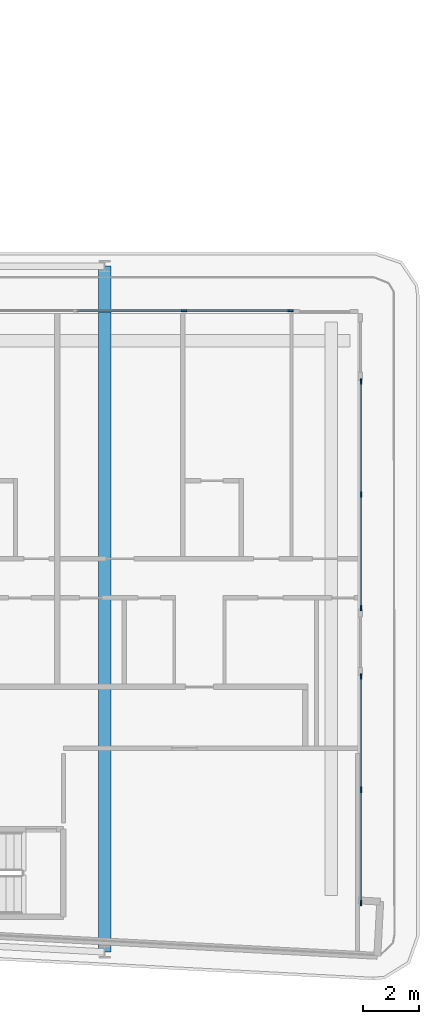
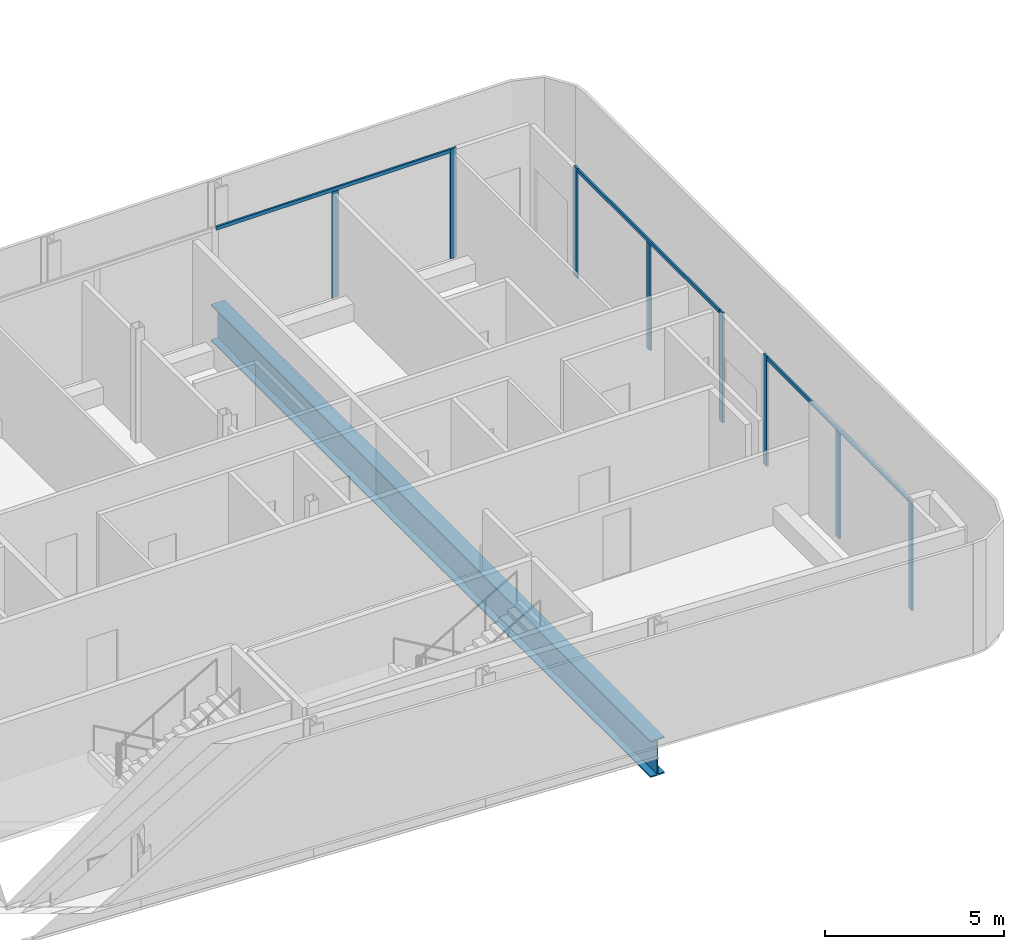
# One storey, part 10 of 30: 11 members, 1 beam, 3 elements without a shape of their own.
"""IFC4 building model written with IfcOpenShell, lengths in metres."""

from ifc_helpers import new_model, si_unit, direction, frame, origin, origin_2d, place, context, subcontext, project, spatial, rectangle, i_section, extrude, material, layer, layer_set, material_profile, profile_set, type_object, element, aggregate, save


model = new_model("IFC4")

# Units and contexts
model_context = context("Model", 3, precision=1e-05, world=origin(), true_north=direction((0.0, 1.0)))
body_context = subcontext(model_context, "Body", "Model", "MODEL_VIEW")
ifc_project = project(units=[si_unit("LENGTHUNIT", "METRE"), si_unit("AREAUNIT", "SQUARE_METRE"), si_unit("VOLUMEUNIT", "CUBIC_METRE"), si_unit("PLANEANGLEUNIT", "RADIAN"), si_unit("MASSUNIT", "GRAM", prefix="KILO")], contexts=[model_context])

# Site, building, storey
site_placement = place(None, origin())
site = spatial("IfcSite", under=ifc_project, at=site_placement, CompositionType="ELEMENT")
building_placement = place(site_placement, origin())
building = spatial("IfcBuilding", under=site, at=building_placement, Name="Kheshtan School and Residences Tower", CompositionType="ELEMENT")
storey_placement = place(building_placement, frame((0.0, 0.0, 195.5)))
storey = spatial("IfcBuildingStorey", under=building, at=storey_placement, Name="L46", CompositionType="ELEMENT", Elevation=195.5)

# Curtain wall, members
ifc_material_1 = material(Name="Clear low-e glass in thermally broken aluminium frame", Category="aluminium")
ifc_layer = layer(ifc_material_1, 0.199951171875)
ifc_layer_set = layer_set([ifc_layer], Name="Curtain wall CW-L")
curtain_wall_type = type_object("IfcCurtainWallType", Name="Curtain wall CW-L", PredefinedType="NOTDEFINED", material=ifc_layer_set)
curtain_wall_1_placement = place(storey_placement, origin())
curtain_wall_1 = element("IfcCurtainWall", 1, at=curtain_wall_1_placement, inside=storey, type_object=curtain_wall_type, Name="Curtain wall CWL12j", PredefinedType="NOTDEFINED")
ifc_material_2 = material(Name="Thermally broken aluminium, dark bronze anodised", Category="aluminium")
ifc_material_profile_1 = material_profile(ifc_material_2, rectangle(XDim=0.06005859375, YDim=0.199951171875, at=origin_2d()), Name="CW-L mullion 60x200")
ifc_profile_set_1 = profile_set([ifc_material_profile_1], Name="Thermally broken aluminium, dark bronze anodised")
member_type_1 = type_object("IfcMemberType", Name="CW-L mullion 60x200", PredefinedType="MULLION", material=ifc_profile_set_1)
member_1_placement = place(storey_placement, frame((93.653076171875, 44.0, 0.0), z_axis=(0.0, 0.0, 1.0), x_axis=(0.0, 1.0, 0.0)))
member_1 = element("IfcMember", 2, at=member_1_placement, type_object=member_type_1, Name="CWL12j mullion 2", PredefinedType="MULLION", context=body_context, shape_type="SweptSolid", body=[
    extrude(rectangle(XDim=0.06005859375, YDim=0.199951171875, at=origin_2d()), origin(), (0.0, 0.0, 1.0), 3.6298828125),
])
member_2_placement = place(storey_placement, frame((97.469970703125, 44.0, 0.0), z_axis=(0.0, 0.0, 1.0), x_axis=(0.0, 1.0, 0.0)))
member_2 = element("IfcMember", 3, at=member_2_placement, type_object=member_type_1, Name="CWL12j mullion 3", PredefinedType="MULLION", context=body_context, shape_type="SweptSolid", body=[
    extrude(rectangle(XDim=0.06005859375, YDim=0.199951171875, at=origin_2d()), origin(), (0.0, 0.0, 1.0), 3.75),
])

curtain_wall_2_placement = place(storey_placement, origin())
curtain_wall_2 = element("IfcCurtainWall", 4, at=curtain_wall_2_placement, inside=storey, type_object=curtain_wall_type, Name="Curtain wall CWL13b", PredefinedType="NOTDEFINED")
member_3_placement = place(storey_placement, frame((100.0, 41.469970703125, 0.0), z_axis=(0.0, 0.0, 1.0), x_axis=(1.0, 0.0, 0.0)))
member_3 = element("IfcMember", 5, at=member_3_placement, type_object=member_type_1, Name="CWL13b mullion 1", PredefinedType="MULLION", context=body_context, shape_type="SweptSolid", body=[
    extrude(rectangle(XDim=0.06005859375, YDim=0.199951171875, at=origin_2d()), origin(), (0.0, 0.0, 1.0), 3.75),
])
member_4_placement = place(storey_placement, frame((100.0, 37.403564453125, 0.0), z_axis=(0.0, 0.0, 1.0), x_axis=(1.0, 0.0, 0.0)))
member_4 = element("IfcMember", 6, at=member_4_placement, type_object=member_type_1, Name="CWL13b mullion 2", PredefinedType="MULLION", context=body_context, shape_type="SweptSolid", body=[
    extrude(rectangle(XDim=0.06005859375, YDim=0.199951171875, at=origin_2d()), origin(), (0.0, 0.0, 1.0), 3.6298828125),
])
member_5_placement = place(storey_placement, frame((100.0, 33.3369140625, 0.0), z_axis=(0.0, 0.0, 1.0), x_axis=(1.0, 0.0, 0.0)))
member_5 = element("IfcMember", 7, at=member_5_placement, type_object=member_type_1, Name="CWL13b mullion 3", PredefinedType="MULLION", context=body_context, shape_type="SweptSolid", body=[
    extrude(rectangle(XDim=0.06005859375, YDim=0.199951171875, at=origin_2d()), origin(), (0.0, 0.0, 1.0), 3.75),
])

curtain_wall_3_placement = place(storey_placement, origin())
curtain_wall_3 = element("IfcCurtainWall", 8, at=curtain_wall_3_placement, inside=storey, type_object=curtain_wall_type, Name="Curtain wall CWL13b", PredefinedType="NOTDEFINED")
member_6_placement = place(storey_placement, frame((100.0, 30.876953125, 0.0), z_axis=(0.0, 0.0, 1.0), x_axis=(1.0, 0.0, 0.0)))
member_6 = element("IfcMember", 9, at=member_6_placement, type_object=member_type_1, Name="CWL13b mullion 1", PredefinedType="MULLION", context=body_context, shape_type="SweptSolid", body=[
    extrude(rectangle(XDim=0.06005859375, YDim=0.199951171875, at=origin_2d()), origin(), (0.0, 0.0, 1.0), 3.75),
])
member_7_placement = place(storey_placement, frame((100.0, 26.810546875, 0.0), z_axis=(0.0, 0.0, 1.0), x_axis=(1.0, 0.0, 0.0)))
member_7 = element("IfcMember", 10, at=member_7_placement, type_object=member_type_1, Name="CWL13b mullion 2", PredefinedType="MULLION", context=body_context, shape_type="SweptSolid", body=[
    extrude(rectangle(XDim=0.06005859375, YDim=0.199951171875, at=origin_2d()), origin(), (0.0, 0.0, 1.0), 3.6298828125),
])
member_8_placement = place(storey_placement, frame((100.0, 22.743896484375, 0.0), z_axis=(0.0, 0.0, 1.0), x_axis=(1.0, 0.0, 0.0)))
member_8 = element("IfcMember", 11, at=member_8_placement, type_object=member_type_1, Name="CWL13b mullion 3", PredefinedType="MULLION", context=body_context, shape_type="SweptSolid", body=[
    extrude(rectangle(XDim=0.06005859375, YDim=0.199951171875, at=origin_2d()), origin(), (0.0, 0.0, 1.0), 3.75),
])

# Member
ifc_material_profile_2 = material_profile(ifc_material_2, rectangle(XDim=0.06005859375, YDim=0.1201171875, at=origin_2d()), Name="CW-L transom 60x120")
ifc_profile_set_2 = profile_set([ifc_material_profile_2], Name="Thermally broken aluminium, dark bronze anodised")
member_type_2 = type_object("IfcMemberType", Name="CW-L transom 60x120", PredefinedType="USERDEFINED", material=ifc_profile_set_2)
member_9_placement = place(storey_placement, frame((89.805908203125, 44.0, 3.68994140625), z_axis=(1.0, 0.0, 0.0), x_axis=(0.0, 1.0, 0.0)))
member_9 = element("IfcMember", 12, at=member_9_placement, type_object=member_type_2, Name="CWL12j transom 1", ObjectType="TRANSOM", PredefinedType="USERDEFINED", context=body_context, shape_type="SweptSolid", body=[
    extrude(rectangle(XDim=0.06005859375, YDim=0.1201171875, at=origin_2d()), origin(), (0.0, 0.0, 1.0), 7.634033203125),
])

aggregate(curtain_wall_1, [member_1, member_2, member_9])

member_10_placement = place(storey_placement, frame((100.0, 41.43994140625, 3.68994140625), z_axis=(0.0, -1.0, 0.0), x_axis=(1.0, 0.0, 0.0)))
member_10 = element("IfcMember", 13, at=member_10_placement, type_object=member_type_2, Name="CWL13b transom 1", ObjectType="TRANSOM", PredefinedType="USERDEFINED", context=body_context, shape_type="SweptSolid", body=[
    extrude(rectangle(XDim=0.06005859375, YDim=0.1201171875, at=origin_2d()), origin(), (0.0, 0.0, 1.0), 8.072998046875),
])

aggregate(curtain_wall_2, [member_3, member_4, member_5, member_10])

member_11_placement = place(storey_placement, frame((100.0, 30.846923828125, 3.68994140625), z_axis=(0.0, -1.0, 0.0), x_axis=(1.0, 0.0, 0.0)))
member_11 = element("IfcMember", 14, at=member_11_placement, type_object=member_type_2, Name="CWL13b transom 1", ObjectType="TRANSOM", PredefinedType="USERDEFINED", context=body_context, shape_type="SweptSolid", body=[
    extrude(rectangle(XDim=0.06005859375, YDim=0.1201171875, at=origin_2d()), origin(), (0.0, 0.0, 1.0), 8.072998046875),
])

aggregate(curtain_wall_3, [member_6, member_7, member_8, member_11])

# Beam
ifc_material_3 = material(Name="Steel ASTM A992 Grade 50", Category="steel")
ifc_material_profile_3 = material_profile(ifc_material_3, i_section(OverallWidth=0.449951171875, OverallDepth=1.25, WebThickness=0.02490234375, FlangeThickness=0.044921875, FilletRadius=0.03759765625, at=origin_2d()), Name="WWF1250x546")
ifc_profile_set_3 = profile_set([ifc_material_profile_3], Name="Steel ASTM A992 Grade 50")
beam_type = type_object("IfcBeamType", Name="Transfer girder TG4 WWF1250x546 ASTM A992 Grade 50", PredefinedType="BEAM", material=ifc_profile_set_3)
beam_placement = place(storey_placement, frame((90.800048828125, 45.60009765625, -0.77490234375), z_axis=(0.0, -1.0, 0.0), x_axis=(1.0, 0.0, 0.0)))
element("IfcBeam", 15, at=beam_placement, inside=storey, type_object=beam_type, Name="Transfer girder C068-C006", PredefinedType="BEAM", context=body_context, shape_type="SweptSolid", body=[
    extrude(i_section(OverallWidth=0.449951171875, OverallDepth=1.25, WebThickness=0.02490234375, FlangeThickness=0.044921875, FilletRadius=0.03759765625, at=origin_2d()), origin(), (0.0, 0.0, 1.0), 24.610107421875),
])

save(model, "model.ifc")
